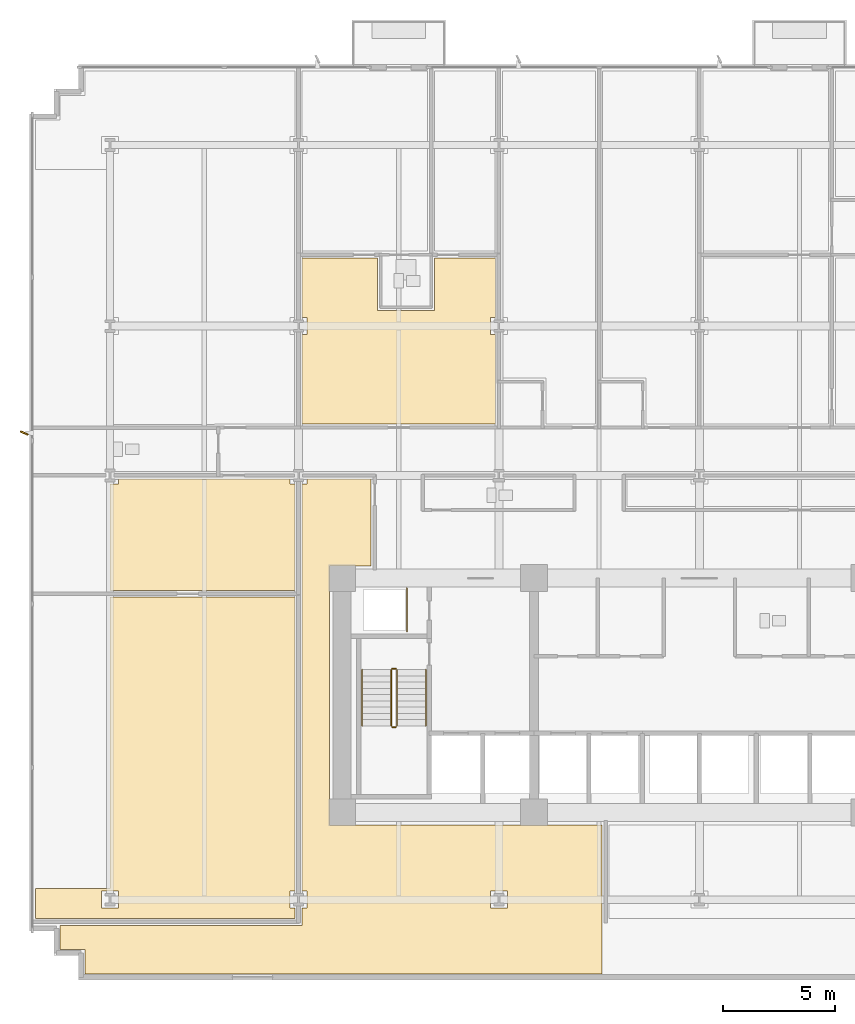
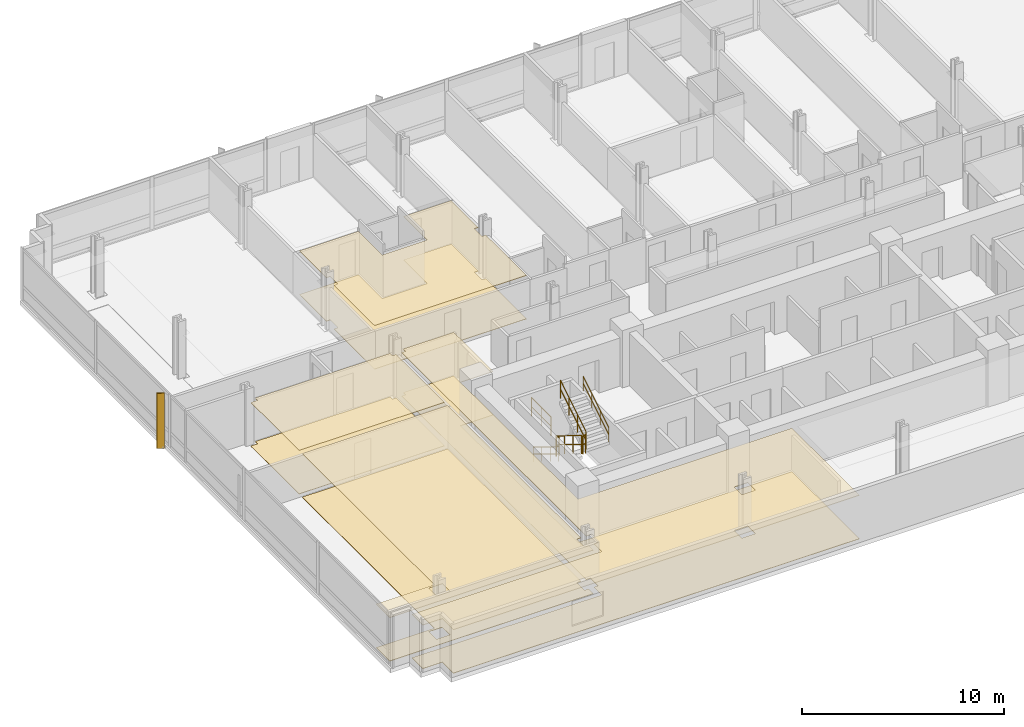
# One storey, part 12 of 16: 8 coverings, 7 railings, 1 shading device.
"""IFC4 building model written with IfcOpenShell, lengths in metres."""

from ifc_helpers import new_model, si_unit, direction, frame, origin, origin_2d, place, context, subcontext, project, spatial, polyline, rectangle, circle, outline, extrude, material, layer, layer_set, type_object, element, save


model = new_model("IFC4")

# Units and contexts
model_context = context("Model", 3, precision=1e-05, world=origin(), true_north=direction((0.0, 1.0)))
body_context = subcontext(model_context, "Body", "Model", "MODEL_VIEW")
ifc_project = project(units=[si_unit("LENGTHUNIT", "METRE"), si_unit("AREAUNIT", "SQUARE_METRE"), si_unit("VOLUMEUNIT", "CUBIC_METRE"), si_unit("PLANEANGLEUNIT", "RADIAN"), si_unit("MASSUNIT", "GRAM", prefix="KILO")], contexts=[model_context])

# Site, building, storey
site_placement = place(None, origin())
site = spatial("IfcSite", under=ifc_project, at=site_placement, CompositionType="ELEMENT")
building_placement = place(site_placement, origin())
building = spatial("IfcBuilding", under=site, at=building_placement, Name="Solmavex Isthmus Hotel", CompositionType="ELEMENT")
storey_placement = place(building_placement, frame((0.0, 0.0, 67.800048828125)))
storey = spatial("IfcBuildingStorey", under=building, at=storey_placement, Name="L18", CompositionType="ELEMENT", Elevation=67.800048828125)

# Coverings
ifc_material_1 = material(Name="Gypsum plasterboard lining", Category="gypsum")
ifc_layer_1 = layer(ifc_material_1, 0.030029296875)
ifc_layer_set_1 = layer_set([ifc_layer_1], Name="Gypsum plasterboard lining")
covering_type_1 = type_object("IfcCoveringType", Name="COV-CEIL-GYP", PredefinedType="CEILING", material=ifc_layer_set_1)
covering_1_placement = place(storey_placement, frame((0.0, 0.0, 2.619873046875)))
element("IfcCovering", 1, at=covering_1_placement, inside=storey, type_object=covering_type_1, Name="Suspended Acoustic Ceiling L18-ST02-FY", PredefinedType="CEILING", context=body_context, shape_type="SweptSolid", body=[
    extrude(outline(polyline([(-17.797119140625, 9.16796875), (-17.572021484375, 9.16796875), (-17.572021484375, 8.407958984375), (-17.797119140625, 8.407958984375), (-17.797119140625, 4.405029296875), (-9.131103515625, 4.405029296875), (-9.131103515625, 8.407958984375), (-9.35595703125, 8.407958984375), (-9.35595703125, 9.16796875), (-9.131103515625, 9.16796875), (-9.131103515625, 11.8330078125), (-11.85888671875, 11.8330078125), (-11.85888671875, 9.48291015625), (-14.4189453125, 9.48291015625), (-14.4189453125, 11.8330078125), (-17.797119140625, 11.8330078125), (-17.797119140625, 9.16796875)])), origin(), (0.0, 0.0, 1.0), 0.030029296875),
])
covering_2_placement = place(storey_placement, frame((0.0, 0.0, 2.619873046875)))
element("IfcCovering", 2, at=covering_2_placement, inside=storey, type_object=covering_type_1, Name="Suspended Acoustic Ceiling L18-FL13", PredefinedType="CEILING", context=body_context, shape_type="SweptSolid", body=[
    extrude(outline(polyline([(-26.02001953125, 1.945068359375), (-26.02001953125, 1.719970703125), (-26.39990234375, 1.719970703125), (-26.39990234375, -3.044921875), (-18.10693359375, -3.044921875), (-18.10693359375, 1.719970703125), (-18.33203125, 1.719970703125), (-18.33203125, 1.945068359375), (-26.02001953125, 1.945068359375)])), origin(), (0.0, 0.0, 1.0), 0.030029296875),
])
covering_3_placement = place(storey_placement, frame((0.0, 0.0, 2.619873046875)))
element("IfcCovering", 3, at=covering_3_placement, inside=storey, type_object=covering_type_1, Name="Suspended Acoustic Ceiling L18-FL16", PredefinedType="CEILING", context=body_context, shape_type="SweptSolid", body=[
    extrude(outline(polyline([(-28.625, -18.054931640625), (-28.625, -19.125), (-27.52490234375, -19.125), (-27.52490234375, -20.22509765625), (-4.35498046875, -20.22509765625), (-4.35498046875, -13.554931640625), (-16.554931640625, -13.554931640625), (-16.554931640625, -1.945068359375), (-14.698974609375, -1.945068359375), (-14.698974609375, 1.945068359375), (-17.572021484375, 1.945068359375), (-17.572021484375, 1.719970703125), (-17.797119140625, 1.719970703125), (-17.797119140625, -16.52001953125), (-17.572021484375, -16.52001953125), (-17.572021484375, -17.280029296875), (-17.797119140625, -17.280029296875), (-17.797119140625, -18.054931640625), (-28.625, -18.054931640625)]), holes=[polyline([(-9.35595703125, -17.280029296875), (-9.35595703125, -16.52001953125), (-8.595947265625, -16.52001953125), (-8.595947265625, -17.280029296875), (-9.35595703125, -17.280029296875)])]), origin(), (0.0, 0.0, 1.0), 0.030029296875),
])
covering_4_placement = place(storey_placement, frame((0.0, 0.0, 2.619873046875)))
element("IfcCovering", 4, at=covering_4_placement, inside=storey, type_object=covering_type_1, Name="Suspended Acoustic Ceiling L18-FL17", PredefinedType="CEILING", context=body_context, shape_type="SweptSolid", body=[
    extrude(outline(polyline([(-18.10693359375, -17.280029296875), (-18.33203125, -17.280029296875), (-18.33203125, -16.52001953125), (-18.10693359375, -16.52001953125), (-18.10693359375, -3.35498046875), (-26.39990234375, -3.35498046875), (-26.39990234375, -16.39990234375), (-29.72509765625, -16.39990234375), (-29.72509765625, -17.7451171875), (-18.10693359375, -17.7451171875), (-18.10693359375, -17.280029296875)]), holes=[polyline([(-26.780029296875, -17.280029296875), (-26.780029296875, -16.52001953125), (-26.02001953125, -16.52001953125), (-26.02001953125, -17.280029296875), (-26.780029296875, -17.280029296875)])]), origin(), (0.0, 0.0, 1.0), 0.030029296875),
])
ifc_material_2 = material(Name="Travertine natural stone", Category="masonry")
ifc_layer_2 = layer(ifc_material_2, 0.02490234375)
ifc_layer_set_2 = layer_set([ifc_layer_2], Name="Travertine natural stone")
covering_type_2 = type_object("IfcCoveringType", Name="COV-FLOR-STN", PredefinedType="FLOORING", material=ifc_layer_set_2)
covering_5_placement = place(storey_placement, origin())
element("IfcCovering", 5, at=covering_5_placement, inside=storey, type_object=covering_type_2, Name="Stone and Timber Floor Finish L18-ST02-FY", PredefinedType="FLOORING", context=body_context, shape_type="SweptSolid", body=[
    extrude(outline(polyline([(-17.797119140625, 9.16796875), (-17.572021484375, 9.16796875), (-17.572021484375, 8.407958984375), (-17.797119140625, 8.407958984375), (-17.797119140625, 4.405029296875), (-9.131103515625, 4.405029296875), (-9.131103515625, 8.407958984375), (-9.35595703125, 8.407958984375), (-9.35595703125, 9.16796875), (-9.131103515625, 9.16796875), (-9.131103515625, 11.8330078125), (-11.85888671875, 11.8330078125), (-11.85888671875, 9.48291015625), (-14.4189453125, 9.48291015625), (-14.4189453125, 11.8330078125), (-17.797119140625, 11.8330078125), (-17.797119140625, 9.16796875)])), origin(), (0.0, 0.0, 1.0), 0.02490234375),
])
covering_6_placement = place(storey_placement, origin())
element("IfcCovering", 6, at=covering_6_placement, inside=storey, type_object=covering_type_2, Name="Stone and Timber Floor Finish L18-FL13", PredefinedType="FLOORING", context=body_context, shape_type="SweptSolid", body=[
    extrude(outline(polyline([(-26.02001953125, 1.945068359375), (-26.02001953125, 1.719970703125), (-26.39990234375, 1.719970703125), (-26.39990234375, -3.044921875), (-18.10693359375, -3.044921875), (-18.10693359375, 1.719970703125), (-18.33203125, 1.719970703125), (-18.33203125, 1.945068359375), (-26.02001953125, 1.945068359375)])), origin(), (0.0, 0.0, 1.0), 0.02490234375),
])
covering_7_placement = place(storey_placement, origin())
element("IfcCovering", 7, at=covering_7_placement, inside=storey, type_object=covering_type_2, Name="Stone and Timber Floor Finish L18-FL16", PredefinedType="FLOORING", context=body_context, shape_type="SweptSolid", body=[
    extrude(outline(polyline([(-28.625, -18.054931640625), (-28.625, -19.125), (-27.52490234375, -19.125), (-27.52490234375, -20.22509765625), (-4.35498046875, -20.22509765625), (-4.35498046875, -13.554931640625), (-16.554931640625, -13.554931640625), (-16.554931640625, -1.945068359375), (-14.698974609375, -1.945068359375), (-14.698974609375, 1.945068359375), (-17.572021484375, 1.945068359375), (-17.572021484375, 1.719970703125), (-17.797119140625, 1.719970703125), (-17.797119140625, -16.52001953125), (-17.572021484375, -16.52001953125), (-17.572021484375, -17.280029296875), (-17.797119140625, -17.280029296875), (-17.797119140625, -18.054931640625), (-28.625, -18.054931640625)]), holes=[polyline([(-9.35595703125, -17.280029296875), (-9.35595703125, -16.52001953125), (-8.595947265625, -16.52001953125), (-8.595947265625, -17.280029296875), (-9.35595703125, -17.280029296875)])]), origin(), (0.0, 0.0, 1.0), 0.02490234375),
])
covering_8_placement = place(storey_placement, origin())
element("IfcCovering", 8, at=covering_8_placement, inside=storey, type_object=covering_type_2, Name="Stone and Timber Floor Finish L18-FL17", PredefinedType="FLOORING", context=body_context, shape_type="SweptSolid", body=[
    extrude(outline(polyline([(-18.10693359375, -17.280029296875), (-18.33203125, -17.280029296875), (-18.33203125, -16.52001953125), (-18.10693359375, -16.52001953125), (-18.10693359375, -3.35498046875), (-26.39990234375, -3.35498046875), (-26.39990234375, -16.39990234375), (-29.72509765625, -16.39990234375), (-29.72509765625, -17.7451171875), (-18.10693359375, -17.7451171875), (-18.10693359375, -17.280029296875)]), holes=[polyline([(-26.780029296875, -17.280029296875), (-26.780029296875, -16.52001953125), (-26.02001953125, -16.52001953125), (-26.02001953125, -17.280029296875), (-26.780029296875, -17.280029296875)])]), origin(), (0.0, 0.0, 1.0), 0.02490234375),
])

# Railings
ifc_material_3 = material(Name="Clear low-E laminated glass", Category="glass")
ifc_layer_3 = layer(ifc_material_3, 0.080078125)
ifc_layer_set_3 = layer_set([ifc_layer_3], Name="Clear low-E laminated glass")
railing_type_1 = type_object("IfcRailingType", Name="RAIL-ATRIUM-1120", PredefinedType="BALUSTRADE", material=ifc_layer_set_3)
railing_1_placement = place(storey_placement, frame((-13.10009765625, -4.89990234375, 0.0)))
element("IfcRailing", 9, at=railing_1_placement, inside=storey, type_object=railing_type_1, Name="Guardrail Balustrade L18-RSW-01", PredefinedType="BALUSTRADE", context=body_context, shape_type="SweptSolid", body=[
    extrude(circle(Radius=0.02392578125, at=origin_2d()), frame((0.0, 0.0, 1.1259765625), z_axis=(0.0, 1.0, 0.0), x_axis=(-1.0, 0.0, 0.0)), (0.0, 0.0, 1.0), 1.949951171875),
    extrude(circle(Radius=0.02392578125, at=origin_2d()), frame((0.0, 0.0, 0.574951171875), z_axis=(0.0, 1.0, 0.0), x_axis=(-1.0, 0.0, 0.0)), (0.0, 0.0, 1.0), 1.949951171875),
    extrude(circle(Radius=0.02099609375, at=origin_2d()), origin(), (0.0, 0.0, 1.0), 1.101806640625),
    extrude(circle(Radius=0.02099609375, at=origin_2d()), frame((0.0, 0.97509765625, 0.0)), (0.0, 0.0, 1.0), 1.101806640625),
    extrude(circle(Radius=0.02099609375, at=origin_2d()), frame((0.0, 1.949951171875, 0.0)), (0.0, 0.0, 1.0), 1.101806640625),
])
ifc_material_4 = material(Name="Stainless steel 316", Category="steel")
ifc_layer_4 = layer(ifc_material_4, 0.06005859375)
ifc_layer_set_4 = layer_set([ifc_layer_4], Name="Stainless steel 316")
railing_type_2 = type_object("IfcRailingType", Name="RAIL-STAIR-GD", PredefinedType="GUARDRAIL", material=ifc_layer_set_4)
railing_2_placement = place(storey_placement, frame((-13.800048828125, -6.60009765625, 0.17236328125)))
element("IfcRailing", 10, at=railing_2_placement, inside=storey, type_object=railing_type_2, Name="L18 ST-1 stair guard 1", PredefinedType="GUARDRAIL", context=body_context, shape_type="SweptSolid", body=[
    extrude(circle(Radius=0.02392578125, at=origin_2d()), frame((0.0, 0.0, 1.09619140625), z_axis=(0.0, -0.851400495292, 0.524516154772), x_axis=(1.0, 0.0, 0.0)), (0.0, 0.0, 1.0), 2.9599609375),
    extrude(circle(Radius=0.02392578125, at=origin_2d()), frame((0.0, 0.0, 0.56005859375), z_axis=(0.0, -0.851400495292, 0.524516154772), x_axis=(1.0, 0.0, 0.0)), (0.0, 0.0, 1.0), 2.9599609375),
    extrude(circle(Radius=0.02099609375, at=origin_2d()), origin(), (0.0, 0.0, 1.0), 1.072021484375),
    extrude(circle(Radius=0.02099609375, at=origin_2d()), frame((0.0, -0.840087890625, 0.517578125)), (0.0, 0.0, 1.0), 1.072021484375),
    extrude(circle(Radius=0.02099609375, at=origin_2d()), frame((0.0, -1.679931640625, 1.034912109375)), (0.0, 0.0, 1.0), 1.072021484375),
    extrude(circle(Radius=0.02099609375, at=origin_2d()), frame((0.0, -2.52001953125, 1.552490234375)), (0.0, 0.0, 1.0), 1.072021484375),
])
railing_3_placement = place(storey_placement, frame((-13.75, -9.169921875, 1.724853515625)))
element("IfcRailing", 11, at=railing_3_placement, inside=storey, type_object=railing_type_2, Name="L18 ST-1 stair guard 2", PredefinedType="GUARDRAIL", context=body_context, shape_type="SweptSolid", body=[
    extrude(circle(Radius=0.02392578125, at=origin_2d()), frame((0.0, 0.0, 1.09619140625), z_axis=(1.0, 0.0, 0.0), x_axis=(0.0, 1.0, 0.0)), (0.0, 0.0, 1.0), 0.14990234375),
    extrude(circle(Radius=0.02392578125, at=origin_2d()), frame((0.0, 0.0, 0.56005859375), z_axis=(1.0, 0.0, 0.0), x_axis=(0.0, 1.0, 0.0)), (0.0, 0.0, 1.0), 0.14990234375),
    extrude(circle(Radius=0.02099609375, at=origin_2d()), origin(), (0.0, 0.0, 1.0), 1.072021484375),
    extrude(circle(Radius=0.02099609375, at=origin_2d()), frame((0.14990234375, 0.0, 0.0)), (0.0, 0.0, 1.0), 1.072021484375),
])
railing_4_placement = place(storey_placement, frame((-13.550048828125, -9.1201171875, 1.8974609375)))
element("IfcRailing", 12, at=railing_4_placement, inside=storey, type_object=railing_type_2, Name="L18 ST-1 stair guard 3", PredefinedType="GUARDRAIL", context=body_context, shape_type="SweptSolid", body=[
    extrude(circle(Radius=0.02392578125, at=origin_2d()), frame((0.0, 0.0, 1.09619140625), z_axis=(0.0, 0.851400495292, 0.524516154772), x_axis=(-1.0, 0.0, 0.0)), (0.0, 0.0, 1.0), 2.9599609375),
    extrude(circle(Radius=0.02392578125, at=origin_2d()), frame((0.0, 0.0, 0.56005859375), z_axis=(0.0, 0.851400495292, 0.524516154772), x_axis=(-1.0, 0.0, 0.0)), (0.0, 0.0, 1.0), 2.9599609375),
    extrude(circle(Radius=0.02099609375, at=origin_2d()), origin(), (0.0, 0.0, 1.0), 1.072021484375),
    extrude(circle(Radius=0.02099609375, at=origin_2d()), frame((0.0, 0.840087890625, 0.517578125)), (0.0, 0.0, 1.0), 1.072021484375),
    extrude(circle(Radius=0.02099609375, at=origin_2d()), frame((0.0, 1.679931640625, 1.034912109375)), (0.0, 0.0, 1.0), 1.072021484375),
    extrude(circle(Radius=0.02099609375, at=origin_2d()), frame((0.0, 2.52001953125, 1.552490234375)), (0.0, 0.0, 1.0), 1.072021484375),
])
railing_5_placement = place(storey_placement, frame((-13.75, -6.550048828125, 0.0)))
element("IfcRailing", 13, at=railing_5_placement, inside=storey, type_object=railing_type_2, Name="L18 ST-1 stair guard 4", PredefinedType="GUARDRAIL", context=body_context, shape_type="SweptSolid", body=[
    extrude(circle(Radius=0.02392578125, at=origin_2d()), frame((0.0, 0.0, 1.09619140625), z_axis=(1.0, 0.0, 0.0), x_axis=(0.0, 1.0, 0.0)), (0.0, 0.0, 1.0), 0.14990234375),
    extrude(circle(Radius=0.02392578125, at=origin_2d()), frame((0.0, 0.0, 0.56005859375), z_axis=(1.0, 0.0, 0.0), x_axis=(0.0, 1.0, 0.0)), (0.0, 0.0, 1.0), 0.14990234375),
    extrude(circle(Radius=0.02099609375, at=origin_2d()), origin(), (0.0, 0.0, 1.0), 1.072021484375),
    extrude(circle(Radius=0.02099609375, at=origin_2d()), frame((0.14990234375, 0.0, 0.0)), (0.0, 0.0, 1.0), 1.072021484375),
])
ifc_layer_5 = layer(ifc_material_4, 0.050048828125)
ifc_layer_set_5 = layer_set([ifc_layer_5], Name="Stainless steel 316")
railing_type_3 = type_object("IfcRailingType", Name="RAIL-STAIR-HR", PredefinedType="HANDRAIL", material=ifc_layer_set_5)
railing_6_placement = place(storey_placement, frame((-15.10009765625, -6.60009765625, 0.17236328125)))
element("IfcRailing", 14, at=railing_6_placement, inside=storey, type_object=railing_type_3, Name="L18 ST-1 stair handrail 1", PredefinedType="HANDRAIL", context=body_context, shape_type="SweptSolid", body=[
    extrude(circle(Radius=0.02392578125, at=origin_2d()), frame((0.0, 0.0, 0.8759765625), z_axis=(0.0, -0.851400495292, 0.524516154772), x_axis=(1.0, 0.0, 0.0)), (0.0, 0.0, 1.0), 2.9599609375),
    extrude(circle(Radius=0.02392578125, at=origin_2d()), frame((0.0, 0.0, 0.449951171875), z_axis=(0.0, -0.851400495292, 0.524516154772), x_axis=(1.0, 0.0, 0.0)), (0.0, 0.0, 1.0), 2.9599609375),
    extrude(circle(Radius=0.02099609375, at=origin_2d()), origin(), (0.0, 0.0, 1.0), 0.851806640625),
    extrude(circle(Radius=0.02099609375, at=origin_2d()), frame((0.0, -0.840087890625, 0.517578125)), (0.0, 0.0, 1.0), 0.851806640625),
    extrude(circle(Radius=0.02099609375, at=origin_2d()), frame((0.0, -1.679931640625, 1.034912109375)), (0.0, 0.0, 1.0), 0.851806640625),
    extrude(circle(Radius=0.02099609375, at=origin_2d()), frame((0.0, -2.52001953125, 1.552490234375)), (0.0, 0.0, 1.0), 0.851806640625),
])
railing_7_placement = place(storey_placement, frame((-12.25, -9.1201171875, 1.8974609375)))
element("IfcRailing", 15, at=railing_7_placement, inside=storey, type_object=railing_type_3, Name="L18 ST-1 stair handrail 2", PredefinedType="HANDRAIL", context=body_context, shape_type="SweptSolid", body=[
    extrude(circle(Radius=0.02392578125, at=origin_2d()), frame((0.0, 0.0, 0.8759765625), z_axis=(0.0, 0.851400495292, 0.524516154772), x_axis=(-1.0, 0.0, 0.0)), (0.0, 0.0, 1.0), 2.9599609375),
    extrude(circle(Radius=0.02392578125, at=origin_2d()), frame((0.0, 0.0, 0.449951171875), z_axis=(0.0, 0.851400495292, 0.524516154772), x_axis=(-1.0, 0.0, 0.0)), (0.0, 0.0, 1.0), 2.9599609375),
    extrude(circle(Radius=0.02099609375, at=origin_2d()), origin(), (0.0, 0.0, 1.0), 0.851806640625),
    extrude(circle(Radius=0.02099609375, at=origin_2d()), frame((0.0, 0.840087890625, 0.517578125)), (0.0, 0.0, 1.0), 0.851806640625),
    extrude(circle(Radius=0.02099609375, at=origin_2d()), frame((0.0, 1.679931640625, 1.034912109375)), (0.0, 0.0, 1.0), 0.851806640625),
    extrude(circle(Radius=0.02099609375, at=origin_2d()), frame((0.0, 2.52001953125, 1.552490234375)), (0.0, 0.0, 1.0), 0.851806640625),
])

# Shading device
ifc_material_5 = material(Name="Aluminium alloy 6063-T6", Category="aluminium")
shading_device_type = type_object("IfcShadingDeviceType", Name="SHD-FIN-CHAMP", PredefinedType="USERDEFINED", material=ifc_material_5)
shading_device_placement = place(storey_placement, frame((-30.239990234375, 4.0, -0.14013671875), z_axis=(0.0, 0.0, 1.0), x_axis=(-0.913545457643, 0.406736643076, 0.0)))
element("IfcShadingDevice", 16, at=shading_device_placement, inside=storey, type_object=shading_device_type, Name="Anodised Aluminium Solar Fin L18-W1", ObjectType="SOLAR_FIN", PredefinedType="USERDEFINED", context=body_context, shape_type="SweptSolid", body=[
    extrude(rectangle(XDim=0.3798828125, YDim=0.070068359375, at=origin_2d()), origin(), (0.0, 0.0, 1.0), 3.330078125),
])

save(model, "model.ifc")
